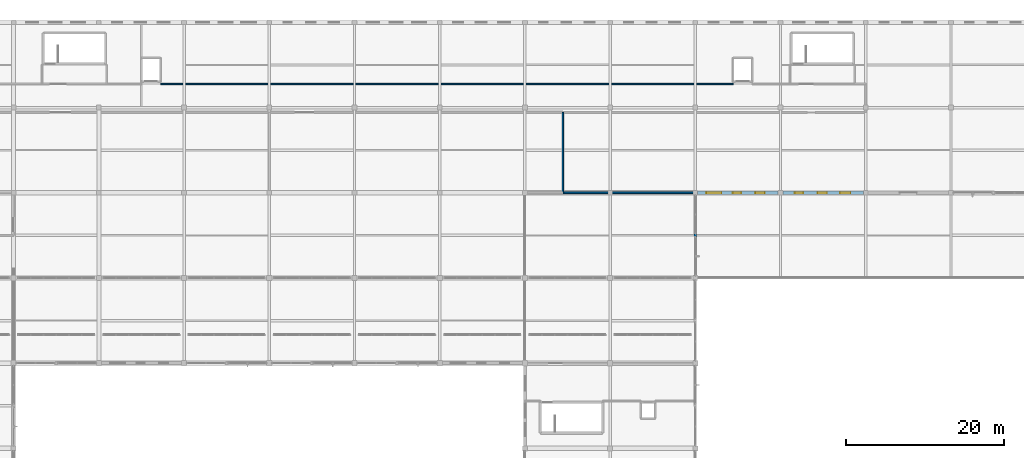
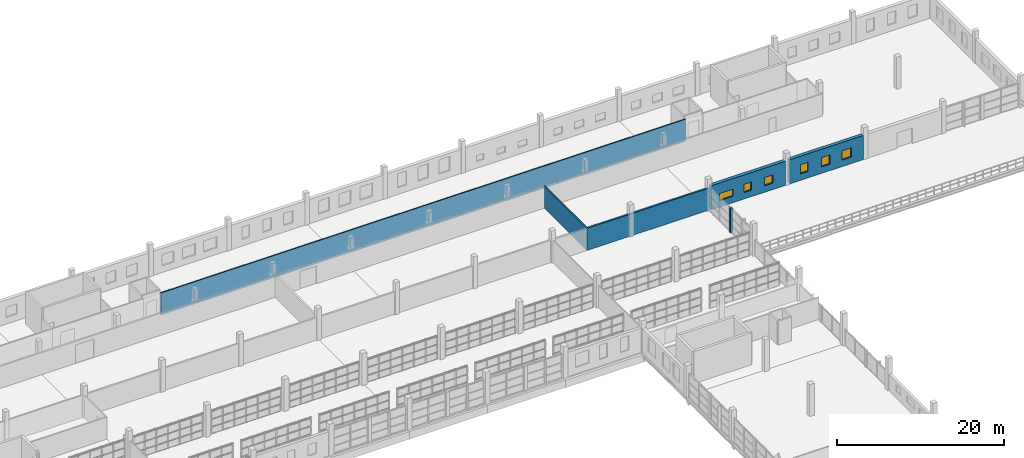
# One storey, part 115 of 142: 6 walls, 6 windows, 6 openings.
"""IFC4 building model written with IfcOpenShell, lengths in metres."""

import ifcopenshell
import ifcopenshell.guid

model = None  # the IFC model being written
_history = None  # IfcOwnerHistory: only IFC2X3 demands one
_inside = {}  # id of a spatial element -> (the spatial element, [elements in it])
_under = {}  # id of a project, library or spatial element -> (it, [spatial elements below it])
_declared = {}  # id of a project -> (the project, [libraries it declares])
_typed = {}  # id of a type object -> (the type object, [elements of that type])
_made_of = {}  # id of a material, layer set ... -> (it, [elements and type objects made of it])


def new_model(schema):
    """Start an empty IFC model of exactly this schema.

    Asked for "IFC4X3", IfcOpenShell would pick the latest addendum, in which some entities
    have other attributes; the version numbers below select the first issue.
    IFC2X3 requires an IfcOwnerHistory on every rooted entity: one is made here for all.
    """
    global model, _history
    if schema == "IFC4X3":
        model = ifcopenshell.file(schema_version=(4, 3, 0, 0))
    else:
        model = ifcopenshell.file(schema=schema)
    _inside.clear()
    _under.clear()
    _declared.clear()
    _typed.clear()
    _made_of.clear()
    _history = None
    if model.schema == "IFC2X3":
        org = make("IfcOrganization", Name="unknown")
        user = make(
            "IfcPersonAndOrganization",
            ThePerson=make("IfcPerson", FamilyName="unknown"),
            TheOrganization=org,
        )
        app = make(
            "IfcApplication",
            ApplicationDeveloper=org,
            Version="unknown",
            ApplicationFullName="unknown",
            ApplicationIdentifier="unknown",
        )
        _history = make(
            "IfcOwnerHistory",
            OwningUser=user,
            OwningApplication=app,
            ChangeAction="ADDED",
            CreationDate=0,
        )
    return model


def make(cls, **values):
    """One entity of the class cls with the attributes given. An attribute that is None is left unset."""
    return model.create_entity(
        cls, **{name: value for name, value in values.items() if value is not None}
    )


def rooted(cls, **values):
    """An entity with a GlobalId (a new one), such as an element, a storey or a relation."""
    return make(cls, GlobalId=ifcopenshell.guid.new(), OwnerHistory=_history, **values)


def si_unit(unit_type, name, prefix=None):
    """IfcSIUnit, for example si_unit("LENGTHUNIT", "METRE", prefix="MILLI")."""
    return make("IfcSIUnit", UnitType=unit_type, Prefix=prefix, Name=name)


def assignment(units):
    """IfcUnitAssignment: the units of a project."""
    return None if units is None else make("IfcUnitAssignment", Units=units)


def point(xyz):
    """IfcCartesianPoint."""
    return None if xyz is None else make("IfcCartesianPoint", Coordinates=xyz)


def direction(xyz):
    """IfcDirection."""
    return None if xyz is None else make("IfcDirection", DirectionRatios=xyz)


def frame(location, z_axis=None, x_axis=None):
    """IfcAxis2Placement3D, a coordinate frame: its origin and axes. An axis left out is left unset."""
    return make(
        "IfcAxis2Placement3D",
        Location=point(location),
        Axis=direction(z_axis),
        RefDirection=direction(x_axis),
    )


def frame_2d(location, x_axis=None):
    """IfcAxis2Placement2D, a coordinate frame in the plane: its origin and x axis."""
    return make(
        "IfcAxis2Placement2D", Location=point(location), RefDirection=direction(x_axis)
    )


def origin():
    """The frame at (0, 0, 0) with its axes left unset."""
    return frame((0.0, 0.0, 0.0))


def place(relative_to, where):
    """IfcLocalPlacement: puts the frame where relative to a parent placement (None: the world)."""
    return make(
        "IfcLocalPlacement", PlacementRelTo=relative_to, RelativePlacement=where
    )


def context(
    kind, dimensions, precision=None, world=None, true_north=None, identifier=None
):
    """IfcGeometricRepresentationContext, for example the 3D "Model" context."""
    return make(
        "IfcGeometricRepresentationContext",
        ContextIdentifier=identifier,
        ContextType=kind,
        CoordinateSpaceDimension=dimensions,
        Precision=precision,
        WorldCoordinateSystem=world,
        TrueNorth=true_north,
    )


def subcontext(parent, identifier, kind, view, scale=None):
    """IfcGeometricRepresentationSubContext, for example "Body" below "Model"."""
    return make(
        "IfcGeometricRepresentationSubContext",
        ContextIdentifier=identifier,
        ContextType=kind,
        ParentContext=parent,
        TargetScale=scale,
        TargetView=view,
    )


def project(units=None, contexts=None):
    """IfcProject with its units and contexts."""
    return rooted(
        "IfcProject",
        Name="project",
        RepresentationContexts=contexts,
        UnitsInContext=assignment(units),
    )


def spatial(cls, under=None, at=None, **own):
    """A site, building, storey or space (cls), placed at a placement, below another one or the project."""
    s = rooted(cls, ObjectPlacement=at, **own)
    if under is not None:
        _under.setdefault(under.id(), (under, []))[1].append(s)
    return s


def profile(cls, at=None, kind="AREA", **sizes):
    """A parametric profile (cls). Its sizes go by their IFC names, for example OverallWidth=200.0."""
    return make(cls, ProfileType=kind, Position=at, **sizes)


def rectangle(**sizes):
    """IfcRectangleProfileDef."""
    return profile("IfcRectangleProfileDef", **sizes)


def extrude(swept, where, along, depth):
    """IfcExtrudedAreaSolid: the profile swept, set in the frame where, extruded along a direction by depth."""
    return make(
        "IfcExtrudedAreaSolid",
        SweptArea=swept,
        Position=where,
        ExtrudedDirection=direction(along),
        Depth=depth,
    )


def shape(context_of_items, identifier, shape_type, items):
    """IfcShapeRepresentation: the items that make up one representation, for example the "Body"."""
    return make(
        "IfcShapeRepresentation",
        ContextOfItems=context_of_items,
        RepresentationIdentifier=identifier,
        RepresentationType=shape_type,
        Items=items,
    )


def material(Name=None, Category=None):
    """IfcMaterial."""
    return make("IfcMaterial", Name=Name, Category=Category)


def layer(
    of_material, thickness, ventilated=None, Name=None, Category=None, Priority=None
):
    """IfcMaterialLayer: one layer of a wall or slab, of a material (None: an air gap)."""
    return make(
        "IfcMaterialLayer",
        Material=of_material,
        LayerThickness=thickness,
        IsVentilated=ventilated,
        Name=Name,
        Category=Category,
        Priority=Priority,
    )


def layer_set(layers, Name=None):
    """IfcMaterialLayerSet."""
    return make("IfcMaterialLayerSet", MaterialLayers=layers, LayerSetName=Name)


def made_of(thing, what):
    """Note that an element or type object is made of a material, layer set ...; save() writes the relation."""
    if what is not None:
        _made_of.setdefault(what.id(), (what, []))[1].append(thing)
    return thing


def type_object(cls, material=None, **own):
    """A type object (cls), such as IfcWallType, which elements share."""
    return made_of(rooted(cls, **own), material)


def element(
    cls,
    number,
    at=None,
    inside=None,
    cuts=None,
    type_object=None,
    material=None,
    context=None,
    identifier="Body",
    shape_type=None,
    held_by="IfcProductDefinitionShape",
    body=None,
    shapes=None,
    **own,
):
    """One element of the class cls, such as IfcWall. Its Tag is "e" and its number.

    at: its placement. inside: the storey or other place that contains it. cuts: it is an
    opening in that element (IfcRelVoidsElement). A single representation is given by context,
    identifier, shape_type and body (its items); several are given by shapes. held_by: the class
    of the entity that holds the representations. save() writes the other relations.
    """
    e = rooted(cls, Tag="e%d" % number, ObjectPlacement=at, **own)
    if body is not None:
        shapes = [shape(context, identifier, shape_type, body)]
    if shapes is not None:
        e.Representation = make(held_by, Representations=shapes)
    if inside is not None:
        _inside.setdefault(inside.id(), (inside, []))[1].append(e)
    if cuts is not None:
        rooted(
            "IfcRelVoidsElement", RelatingBuildingElement=cuts, RelatedOpeningElement=e
        )
    if type_object is not None:
        _typed.setdefault(type_object.id(), (type_object, []))[1].append(e)
    return made_of(e, material)


def fill(opening, filler):
    """IfcRelFillsElement: the door or window that sits in an opening."""
    return rooted(
        "IfcRelFillsElement",
        RelatingOpeningElement=opening,
        RelatedBuildingElement=filler,
    )


def aggregate(whole, parts):
    """IfcRelAggregates: a whole, such as a stair, and the parts it consists of."""
    return rooted("IfcRelAggregates", RelatingObject=whole, RelatedObjects=parts)


def save(model, path):
    """Write the relations noted so far, then the file.

    IfcRelAggregates (storeys below a building ...), IfcRelContainedInSpatialStructure (elements
    in a storey), IfcRelDefinesByType, IfcRelAssociatesMaterial and IfcRelDeclares: one each for
    every whole, place, type object, material and project.
    """
    for whole, parts in _under.values():
        aggregate(whole, parts)
    for where, things in _inside.values():
        rooted(
            "IfcRelContainedInSpatialStructure",
            RelatedElements=things,
            RelatingStructure=where,
        )
    for kind, things in _typed.values():
        rooted("IfcRelDefinesByType", RelatedObjects=things, RelatingType=kind)
    for what, things in _made_of.values():
        rooted("IfcRelAssociatesMaterial", RelatedObjects=things, RelatingMaterial=what)
    for by, libraries in _declared.values():
        rooted("IfcRelDeclares", RelatingContext=by, RelatedDefinitions=libraries)
    model.write(path)


model = new_model("IFC4")

# Units and contexts
model_context = context("Model", 3, precision=1e-05, world=origin(), true_north=direction((0.0, 1.0)))
body_context = subcontext(model_context, "Body", "Model", "MODEL_VIEW")
ifc_project = project(units=[si_unit("LENGTHUNIT", "METRE"), si_unit("AREAUNIT", "SQUARE_METRE"), si_unit("VOLUMEUNIT", "CUBIC_METRE"), si_unit("PLANEANGLEUNIT", "RADIAN"), si_unit("MASSUNIT", "GRAM", prefix="KILO")], contexts=[model_context])

# Site, building, storey
site_placement = place(None, origin())
site = spatial("IfcSite", under=ifc_project, at=site_placement, CompositionType="ELEMENT")
building_placement = place(site_placement, origin())
building = spatial("IfcBuilding", under=site, at=building_placement, Name="Zwinboog Wholesale Market", CompositionType="ELEMENT")
storey_placement = place(building_placement, frame((0.0, 0.0, 5.39990234375)))
storey = spatial("IfcBuildingStorey", under=building, at=storey_placement, Name="L01", CompositionType="ELEMENT", Elevation=5.39990234375)

# Wall, openings, windows
ifc_material_1 = material(Name="Precast concrete C45/55", Category="concrete")
ifc_layer_1 = layer(ifc_material_1, 0.455078125)
ifc_layer_set_1 = layer_set([ifc_layer_1], Name="Precast concrete C45/55")
wall_type_1 = type_object("IfcWallType", Name="WT-EW-455", PredefinedType="STANDARD", material=ifc_layer_set_1)
wall_1_placement = place(storey_placement, frame((173.094970703125, 108.0, 0.0), z_axis=(0.0, 0.0, 1.0), x_axis=(1.0, 0.0, 0.0)))
wall_1 = element("IfcWall", 1, at=wall_1_placement, inside=storey, type_object=wall_type_1, Name="EW-05 (WL-EW-L01-172)", PredefinedType="STANDARD", context=body_context, shape_type="SweptSolid", body=[
    extrude(rectangle(XDim=10.2099609375, YDim=0.455078125, at=frame_2d((5.10498046875, 0.0))), origin(), (0.0, 0.0, 1.0), 3.530029296875),
])
opening_1_placement = place(wall_1_placement, frame((1.10498046875, 0.0, 0.949951171875)))
opening_1 = element("IfcOpeningElement", 2, at=opening_1_placement, cuts=wall_1, Name="Opening WN-16", PredefinedType="OPENING", context=body_context, shape_type="SweptSolid", body=[
    extrude(rectangle(XDim=1.889892578125, YDim=1.050048828125, at=frame_2d((0.94482421875, 0.52490234375))), frame((0.0, 0.237548828125, 0.0), z_axis=(0.0, -1.0, 0.0), x_axis=(1.0, 0.0, 0.0)), (0.0, 0.0, 1.0), 0.47509765625),
])
opening_2_placement = place(wall_1_placement, frame((4.455078125, 0.0, 0.949951171875)))
opening_2 = element("IfcOpeningElement", 3, at=opening_2_placement, cuts=wall_1, Name="Opening WN-17", PredefinedType="OPENING", context=body_context, shape_type="SweptSolid", body=[
    extrude(rectangle(XDim=1.050048828125, YDim=1.199951171875, at=frame_2d((0.52490234375, 0.60009765625))), frame((0.0, 0.237548828125, 0.0), z_axis=(0.0, -1.0, 0.0), x_axis=(1.0, 0.0, 0.0)), (0.0, 0.0, 1.0), 0.47509765625),
])
opening_3_placement = place(wall_1_placement, frame((7.324951171875, 0.0, 0.949951171875)))
opening_3 = element("IfcOpeningElement", 4, at=opening_3_placement, cuts=wall_1, Name="Opening WN-18", PredefinedType="OPENING", context=body_context, shape_type="SweptSolid", body=[
    extrude(rectangle(XDim=1.169921875, YDim=1.199951171875, at=frame_2d((0.5849609375, 0.60009765625))), frame((0.0, 0.237548828125, 0.0), z_axis=(0.0, -1.0, 0.0), x_axis=(1.0, 0.0, 0.0)), (0.0, 0.0, 1.0), 0.47509765625),
])
ifc_material_2 = material(Name="Thermally broken aluminium low-e window", Category="aluminium")
window_type_1 = type_object("IfcWindowType", Name="WNT-16", PartitioningType="SINGLE_PANEL", PredefinedType="WINDOW", material=ifc_material_2)
window_1_placement = place(opening_1_placement, frame((1.889892578125, 0.0, 0.0), z_axis=(0.0, 0.0, 1.0), x_axis=(-1.0, 0.0, 0.0)))
window_1 = element("IfcWindow", 5, at=window_1_placement, inside=storey, type_object=window_type_1, Name="WN-16 (WIN-L01-0160)", OverallHeight=1.050048828125, OverallWidth=1.889892578125, PartitioningType="SINGLE_PANEL", PredefinedType="WINDOW", context=body_context, shape_type="SweptSolid", body=[
    extrude(rectangle(XDim=1.889892578125, YDim=1.050048828125, at=frame_2d((0.94482421875, 0.52490234375))), frame((0.0, 0.030029296875, 0.0), z_axis=(0.0, -1.0, 0.0), x_axis=(1.0, 0.0, 0.0)), (0.0, 0.0, 1.0), 0.06005859375),
])
fill(opening_1, window_1)
window_type_2 = type_object("IfcWindowType", Name="WNT-17", PartitioningType="SINGLE_PANEL", PredefinedType="WINDOW", material=ifc_material_2)
window_2_placement = place(opening_2_placement, frame((1.050048828125, 0.0, 0.0), z_axis=(0.0, 0.0, 1.0), x_axis=(-1.0, 0.0, 0.0)))
window_2 = element("IfcWindow", 6, at=window_2_placement, inside=storey, type_object=window_type_2, Name="WN-17 (WIN-L01-0161)", OverallHeight=1.199951171875, OverallWidth=1.050048828125, PartitioningType="SINGLE_PANEL", PredefinedType="WINDOW", context=body_context, shape_type="SweptSolid", body=[
    extrude(rectangle(XDim=1.050048828125, YDim=1.199951171875, at=frame_2d((0.52490234375, 0.60009765625))), frame((0.0, 0.030029296875, 0.0), z_axis=(0.0, -1.0, 0.0), x_axis=(1.0, 0.0, 0.0)), (0.0, 0.0, 1.0), 0.06005859375),
])
fill(opening_2, window_2)
window_type_3 = type_object("IfcWindowType", Name="WNT-18", PartitioningType="SINGLE_PANEL", PredefinedType="WINDOW", material=ifc_material_2)
window_3_placement = place(opening_3_placement, frame((1.169921875, 0.0, 0.0), z_axis=(0.0, 0.0, 1.0), x_axis=(-1.0, 0.0, 0.0)))
window_3 = element("IfcWindow", 7, at=window_3_placement, inside=storey, type_object=window_type_3, Name="WN-18 (WIN-L01-0162)", OverallHeight=1.199951171875, OverallWidth=1.169921875, PartitioningType="SINGLE_PANEL", PredefinedType="WINDOW", context=body_context, shape_type="SweptSolid", body=[
    extrude(rectangle(XDim=1.169921875, YDim=1.199951171875, at=frame_2d((0.5849609375, 0.60009765625))), frame((0.0, 0.030029296875, 0.0), z_axis=(0.0, -1.0, 0.0), x_axis=(1.0, 0.0, 0.0)), (0.0, 0.0, 1.0), 0.06005859375),
])
fill(opening_3, window_3)

wall_2_placement = place(storey_placement, frame((183.89501953125, 108.0, 0.0), z_axis=(0.0, 0.0, 1.0), x_axis=(1.0, 0.0, 0.0)))
wall_2 = element("IfcWall", 8, at=wall_2_placement, inside=storey, type_object=wall_type_1, Name="EW-05 (WL-EW-L01-176)", PredefinedType="STANDARD", context=body_context, shape_type="SweptSolid", body=[
    extrude(rectangle(XDim=10.2099609375, YDim=0.455078125, at=frame_2d((5.10498046875, 0.0))), origin(), (0.0, 0.0, 1.0), 3.530029296875),
])
opening_4_placement = place(wall_2_placement, frame((1.52490234375, 0.0, 0.949951171875)))
opening_4 = element("IfcOpeningElement", 9, at=opening_4_placement, cuts=wall_2, Name="Opening WN-25", PredefinedType="OPENING", context=body_context, shape_type="SweptSolid", body=[
    extrude(rectangle(XDim=1.050048828125, YDim=1.35009765625, at=frame_2d((0.52490234375, 0.675048828125))), frame((0.0, 0.237548828125, 0.0), z_axis=(0.0, -1.0, 0.0), x_axis=(1.0, 0.0, 0.0)), (0.0, 0.0, 1.0), 0.47509765625),
])
opening_5_placement = place(wall_2_placement, frame((4.39501953125, 0.0, 0.949951171875)))
opening_5 = element("IfcOpeningElement", 10, at=opening_5_placement, cuts=wall_2, Name="Opening WN-26", PredefinedType="OPENING", context=body_context, shape_type="SweptSolid", body=[
    extrude(rectangle(XDim=1.169921875, YDim=1.35009765625, at=frame_2d((0.5849609375, 0.675048828125))), frame((0.0, 0.237548828125, 0.0), z_axis=(0.0, -1.0, 0.0), x_axis=(1.0, 0.0, 0.0)), (0.0, 0.0, 1.0), 0.47509765625),
])
opening_6_placement = place(wall_2_placement, frame((7.264892578125, 0.0, 0.949951171875)))
opening_6 = element("IfcOpeningElement", 11, at=opening_6_placement, cuts=wall_2, Name="Opening WN-27", PredefinedType="OPENING", context=body_context, shape_type="SweptSolid", body=[
    extrude(rectangle(XDim=1.2900390625, YDim=1.35009765625, at=frame_2d((0.64501953125, 0.675048828125))), frame((0.0, 0.237548828125, 0.0), z_axis=(0.0, -1.0, 0.0), x_axis=(1.0, 0.0, 0.0)), (0.0, 0.0, 1.0), 0.47509765625),
])
window_type_4 = type_object("IfcWindowType", Name="WNT-25", PartitioningType="SINGLE_PANEL", PredefinedType="WINDOW", material=ifc_material_2)
window_4_placement = place(opening_4_placement, frame((1.050048828125, 0.0, 0.0), z_axis=(0.0, 0.0, 1.0), x_axis=(-1.0, 0.0, 0.0)))
window_4 = element("IfcWindow", 12, at=window_4_placement, inside=storey, type_object=window_type_4, Name="WN-25 (WIN-L01-0169)", OverallHeight=1.35009765625, OverallWidth=1.050048828125, PartitioningType="SINGLE_PANEL", PredefinedType="WINDOW", context=body_context, shape_type="SweptSolid", body=[
    extrude(rectangle(XDim=1.050048828125, YDim=1.35009765625, at=frame_2d((0.52490234375, 0.675048828125))), frame((0.0, 0.030029296875, 0.0), z_axis=(0.0, -1.0, 0.0), x_axis=(1.0, 0.0, 0.0)), (0.0, 0.0, 1.0), 0.06005859375),
])
fill(opening_4, window_4)
window_type_5 = type_object("IfcWindowType", Name="WNT-26", PartitioningType="SINGLE_PANEL", PredefinedType="WINDOW", material=ifc_material_2)
window_5_placement = place(opening_5_placement, frame((1.169921875, 0.0, 0.0), z_axis=(0.0, 0.0, 1.0), x_axis=(-1.0, 0.0, 0.0)))
window_5 = element("IfcWindow", 13, at=window_5_placement, inside=storey, type_object=window_type_5, Name="WN-26 (WIN-L01-0170)", OverallHeight=1.35009765625, OverallWidth=1.169921875, PartitioningType="SINGLE_PANEL", PredefinedType="WINDOW", context=body_context, shape_type="SweptSolid", body=[
    extrude(rectangle(XDim=1.169921875, YDim=1.35009765625, at=frame_2d((0.5849609375, 0.675048828125))), frame((0.0, 0.030029296875, 0.0), z_axis=(0.0, -1.0, 0.0), x_axis=(1.0, 0.0, 0.0)), (0.0, 0.0, 1.0), 0.06005859375),
])
fill(opening_5, window_5)
window_type_6 = type_object("IfcWindowType", Name="WNT-27", PartitioningType="SINGLE_PANEL", PredefinedType="WINDOW", material=ifc_material_2)
window_6_placement = place(opening_6_placement, frame((1.2900390625, 0.0, 0.0), z_axis=(0.0, 0.0, 1.0), x_axis=(-1.0, 0.0, 0.0)))
window_6 = element("IfcWindow", 14, at=window_6_placement, inside=storey, type_object=window_type_6, Name="WN-27 (WIN-L01-0171)", OverallHeight=1.35009765625, OverallWidth=1.2900390625, PartitioningType="SINGLE_PANEL", PredefinedType="WINDOW", context=body_context, shape_type="SweptSolid", body=[
    extrude(rectangle(XDim=1.2900390625, YDim=1.35009765625, at=frame_2d((0.64501953125, 0.675048828125))), frame((0.0, 0.030029296875, 0.0), z_axis=(0.0, -1.0, 0.0), x_axis=(1.0, 0.0, 0.0)), (0.0, 0.0, 1.0), 0.06005859375),
])
fill(opening_6, window_6)

# Walls
ifc_layer_2 = layer(ifc_material_1, 0.304931640625)
ifc_layer_set_2 = layer_set([ifc_layer_2], Name="Precast concrete C45/55")
wall_type_2 = type_object("IfcWallType", Name="WT-EW-305", PredefinedType="STANDARD", material=ifc_layer_set_2)
wall_3_placement = place(storey_placement, frame((172.800048828125, 102.39990234375, 0.0), z_axis=(0.0, 0.0, 1.0), x_axis=(0.0, 1.0, 0.0)))
element("IfcWall", 15, at=wall_3_placement, inside=storey, type_object=wall_type_2, Name="EW-07 (WL-PIER-L01-168)", PredefinedType="STANDARD", context=body_context, shape_type="SweptSolid", body=[
    extrude(rectangle(XDim=0.400146484375, YDim=0.304931640625, at=frame_2d((0.2001953125, 0.0))), origin(), (0.0, 0.0, 1.0), 3.530029296875),
])
ifc_layer_3 = layer(ifc_material_1, 0.179931640625)
ifc_layer_set_3 = layer_set([ifc_layer_3], Name="Precast concrete C45/55")
wall_type_3 = type_object("IfcWallType", Name="WT-IW-180", PredefinedType="PARTITIONING", material=ifc_layer_set_3)
wall_4_placement = place(storey_placement, frame((156.0, 108.0, 0.0), z_axis=(0.0, 0.0, 1.0), x_axis=(0.0, 1.0, 0.0)))
element("IfcWall", 16, at=wall_4_placement, inside=storey, type_object=wall_type_3, Name="IW-01 (WL-IN-L01-0226)", PredefinedType="PARTITIONING", context=body_context, shape_type="SweptSolid", body=[
    extrude(rectangle(XDim=10.199951171875, YDim=0.179931640625, at=frame_2d((5.10009765625, 0.0))), origin(), (0.0, 0.0, 1.0), 3.22998046875),
])
ifc_layer_4 = layer(ifc_material_1, 0.235107421875)
ifc_layer_set_4 = layer_set([ifc_layer_4], Name="Precast concrete C45/55")
wall_type_4 = type_object("IfcWallType", Name="WT-IW-235", PredefinedType="PARTITIONING", material=ifc_layer_set_4)
wall_5_placement = place(storey_placement, frame((156.0, 108.0, 0.0), z_axis=(0.0, 0.0, 1.0), x_axis=(1.0, 0.0, 0.0)))
element("IfcWall", 17, at=wall_5_placement, inside=storey, type_object=wall_type_4, Name="IW-03 (WL-IN-L01-0225)", PredefinedType="PARTITIONING", context=body_context, shape_type="SweptSolid", body=[
    extrude(rectangle(XDim=16.800048828125, YDim=0.235107421875, at=frame_2d((8.39990234375, 0.0))), origin(), (0.0, 0.0, 1.0), 3.22998046875),
])
ifc_material_3 = material(Name="Fire-rated corridor stud partition")
ifc_layer_5 = layer(ifc_material_3, 0.154052734375)
ifc_layer_set_5 = layer_set([ifc_layer_5], Name="Fire-rated corridor stud partition")
wall_type_5 = type_object("IfcWallType", Name="WT-PT-154", PredefinedType="PARTITIONING", material=ifc_layer_set_5)
wall_6_placement = place(storey_placement, frame((105.02001953125, 121.800048828125, 0.0), z_axis=(0.0, 0.0, 1.0), x_axis=(1.0, 0.0, 0.0)))
element("IfcWall", 18, at=wall_6_placement, inside=storey, type_object=wall_type_5, Name="PW-04 (WL-IN-L01-0206)", PredefinedType="PARTITIONING", context=body_context, shape_type="SweptSolid", body=[
    extrude(rectangle(XDim=72.56005859375, YDim=0.154052734375, at=frame_2d((36.280029296875, 0.0))), origin(), (0.0, 0.0, 1.0), 3.22998046875),
])

save(model, "model.ifc")
